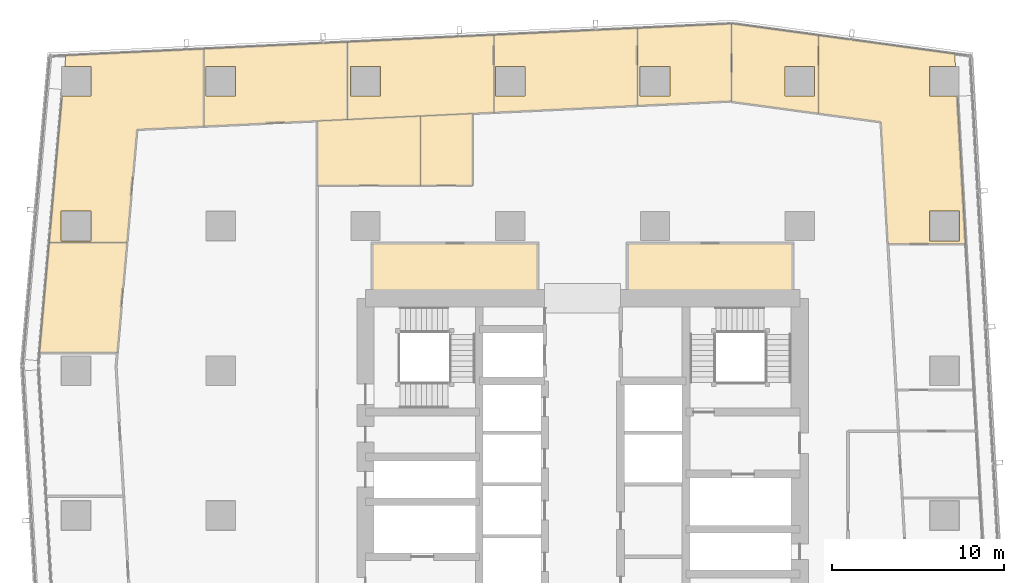
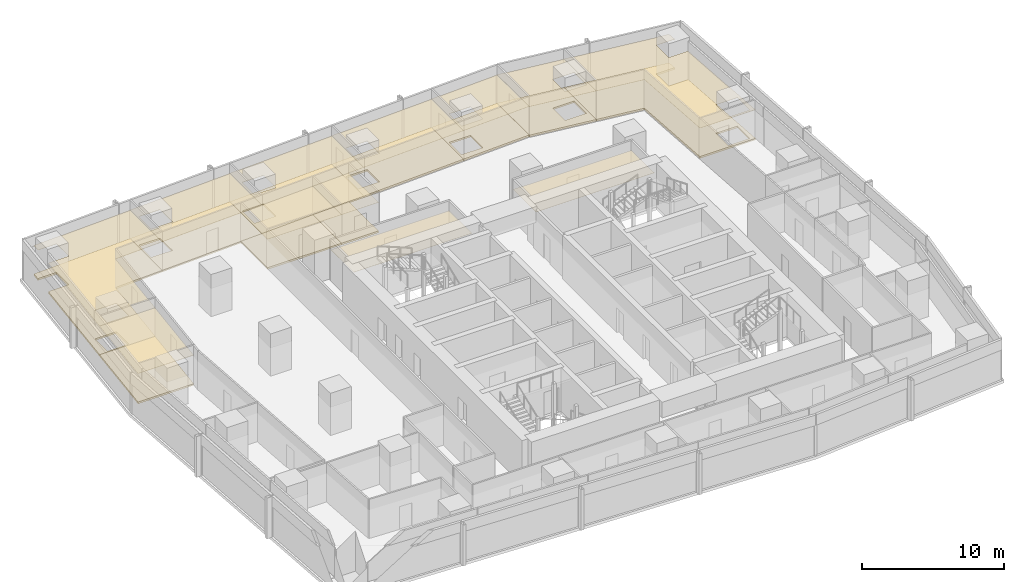
# One storey, part 39 of 39: 22 coverings.
"""IFC4 building model written with IfcOpenShell, lengths in metres."""

from ifc_helpers import new_model, si_unit, direction, frame, origin, place, context, subcontext, project, spatial, polyline, outline, extrude, material, layer, layer_set, type_object, element, save


model = new_model("IFC4")

# Units and contexts
model_context = context("Model", 3, precision=1e-05, world=origin(), true_north=direction((0.0, 1.0)))
body_context = subcontext(model_context, "Body", "Model", "MODEL_VIEW")
ifc_project = project(units=[si_unit("LENGTHUNIT", "METRE"), si_unit("AREAUNIT", "SQUARE_METRE"), si_unit("VOLUMEUNIT", "CUBIC_METRE"), si_unit("PLANEANGLEUNIT", "RADIAN"), si_unit("MASSUNIT", "GRAM", prefix="KILO")], contexts=[model_context])

# Site, building, storey
site_placement = place(None, origin())
site = spatial("IfcSite", under=ifc_project, at=site_placement, CompositionType="ELEMENT")
building_placement = place(site_placement, origin())
building = spatial("IfcBuilding", under=site, at=building_placement, Name="Rekha Terrace Tower", CompositionType="ELEMENT")
storey_placement = place(building_placement, frame((0.0, 0.0, 183.949951171875)))
storey = spatial("IfcBuildingStorey", under=building, at=storey_placement, Name="L46", CompositionType="ELEMENT", Elevation=183.949951171875)

# Coverings
ifc_material_1 = material(Name="Mineral fibre tile in exposed grid", Category="finish")
ifc_layer_1 = layer(ifc_material_1, 0.02001953125)
ifc_layer_set_1 = layer_set([ifc_layer_1], Name="Mineral fibre tile in exposed grid")
covering_type_1 = type_object("IfcCoveringType", Name="CL1 600x1200 office grid ceiling", PredefinedType="CEILING", material=ifc_layer_set_1)
covering_1_placement = place(storey_placement, frame((0.0, 0.0, 2.580078125)))
element("IfcCovering", 1, at=covering_1_placement, inside=storey, type_object=covering_type_1, Name="Ceiling L46-12", PredefinedType="CEILING", context=body_context, shape_type="SweptSolid", body=[
    extrude(outline(polyline([(51.485107421875, 56.926025390625), (55.10888671875, 56.43310546875), (55.511962890625, 49.346923828125), (60.01904296875, 49.346923828125), (59.531005859375, 57.93505859375), (57.93505859375, 57.93505859375), (57.93505859375, 59.6650390625), (59.43310546875, 59.6650390625), (59.39208984375, 60.39208984375), (51.485107421875, 61.468017578125), (51.485107421875, 56.926025390625)]), holes=[polyline([(59.6650390625, 51.264892578125), (59.6650390625, 49.534912109375), (57.93505859375, 49.534912109375), (57.93505859375, 51.264892578125), (59.6650390625, 51.264892578125)])]), origin(), (0.0, 0.0, 1.0), 0.02001953125),
])
covering_2_placement = place(storey_placement, frame((0.0, 0.0, 2.580078125)))
element("IfcCovering", 2, at=covering_2_placement, inside=storey, type_object=covering_type_1, Name="Ceiling L46-13", PredefinedType="CEILING", context=body_context, shape_type="SweptSolid", body=[
    extrude(outline(polyline([(51.48388671875, 56.927001953125), (51.48388671875, 61.468017578125), (46.445068359375, 62.154052734375), (46.445068359375, 57.612060546875), (51.48388671875, 56.927001953125)]), holes=[polyline([(51.264892578125, 57.93505859375), (49.534912109375, 57.93505859375), (49.534912109375, 59.6650390625), (51.264892578125, 59.6650390625), (51.264892578125, 57.93505859375)])]), origin(), (0.0, 0.0, 1.0), 0.02001953125),
])
covering_3_placement = place(storey_placement, frame((0.0, 0.0, 2.580078125)))
element("IfcCovering", 3, at=covering_3_placement, inside=storey, type_object=covering_type_1, Name="Ceiling L46-14", PredefinedType="CEILING", context=body_context, shape_type="SweptSolid", body=[
    extrude(outline(polyline([(46.444091796875, 62.14697265625), (40.97802734375, 61.885986328125), (40.97802734375, 57.381103515625), (46.444091796875, 57.64208984375), (46.444091796875, 62.14697265625)]), holes=[polyline([(42.864990234375, 59.6650390625), (42.864990234375, 57.93505859375), (41.135009765625, 57.93505859375), (41.135009765625, 59.6650390625), (42.864990234375, 59.6650390625)])]), origin(), (0.0, 0.0, 1.0), 0.02001953125),
])
covering_4_placement = place(storey_placement, frame((0.0, 0.0, 2.580078125)))
element("IfcCovering", 4, at=covering_4_placement, inside=storey, type_object=covering_type_1, Name="Ceiling L46-15", PredefinedType="CEILING", context=body_context, shape_type="SweptSolid", body=[
    extrude(outline(polyline([(40.97705078125, 57.381103515625), (40.97705078125, 61.885986328125), (32.64990234375, 61.488037109375), (32.64990234375, 56.98291015625), (40.97705078125, 57.381103515625)]), holes=[polyline([(34.465087890625, 57.93505859375), (32.735107421875, 57.93505859375), (32.735107421875, 59.6650390625), (34.465087890625, 59.6650390625), (34.465087890625, 57.93505859375)])]), origin(), (0.0, 0.0, 1.0), 0.02001953125),
])
covering_5_placement = place(storey_placement, frame((0.0, 0.0, 2.580078125)))
element("IfcCovering", 5, at=covering_5_placement, inside=storey, type_object=covering_type_1, Name="Ceiling L46-16", PredefinedType="CEILING", context=body_context, shape_type="SweptSolid", body=[
    extrude(outline(polyline([(32.64892578125, 56.98291015625), (32.64892578125, 61.488037109375), (24.14306640625, 61.0810546875), (24.14306640625, 56.575927734375), (32.64892578125, 56.98291015625)]), holes=[polyline([(26.06494140625, 57.93505859375), (24.3349609375, 57.93505859375), (24.3349609375, 59.6650390625), (26.06494140625, 59.6650390625), (26.06494140625, 57.93505859375)])]), origin(), (0.0, 0.0, 1.0), 0.02001953125),
])
covering_6_placement = place(storey_placement, frame((0.0, 0.0, 2.580078125)))
element("IfcCovering", 6, at=covering_6_placement, inside=storey, type_object=covering_type_1, Name="Ceiling L46-17", PredefinedType="CEILING", context=body_context, shape_type="SweptSolid", body=[
    extrude(outline(polyline([(24.14208984375, 56.575927734375), (24.14208984375, 61.0810546875), (15.81591796875, 60.68310546875), (15.81591796875, 56.177978515625), (24.14208984375, 56.575927734375)]), holes=[polyline([(17.6650390625, 59.6650390625), (17.6650390625, 57.93505859375), (15.93505859375, 57.93505859375), (15.93505859375, 59.6650390625), (17.6650390625, 59.6650390625)])]), origin(), (0.0, 0.0, 1.0), 0.02001953125),
])
covering_7_placement = place(storey_placement, frame((0.0, 0.0, 2.580078125)))
element("IfcCovering", 7, at=covering_7_placement, inside=storey, type_object=covering_type_1, Name="Ceiling L46-18", PredefinedType="CEILING", context=body_context, shape_type="SweptSolid", body=[
    extrude(outline(polyline([(7.592041015625, 57.93505859375), (6.841064453125, 49.427978515625), (11.35888671875, 49.427978515625), (11.93798828125, 55.992919921875), (15.81494140625, 56.177978515625), (15.81494140625, 60.68310546875), (7.801025390625, 60.300048828125), (7.7451171875, 59.6650390625), (9.264892578125, 59.6650390625), (9.264892578125, 57.93505859375), (7.592041015625, 57.93505859375)]), holes=[polyline([(9.264892578125, 49.534912109375), (7.534912109375, 49.534912109375), (7.534912109375, 51.264892578125), (9.264892578125, 51.264892578125), (9.264892578125, 49.534912109375)])]), origin(), (0.0, 0.0, 1.0), 0.02001953125),
])
covering_8_placement = place(storey_placement, frame((0.0, 0.0, 2.580078125)))
element("IfcCovering", 8, at=covering_8_placement, inside=storey, type_object=covering_type_1, Name="Ceiling L46-19", PredefinedType="CEILING", context=body_context, shape_type="SweptSolid", body=[
    extrude(outline(polyline([(11.35791015625, 49.427001953125), (6.841064453125, 49.427001953125), (6.277099609375, 43.044921875), (10.794921875, 43.044921875), (11.35791015625, 49.427001953125)])), origin(), (0.0, 0.0, 1.0), 0.02001953125),
])
covering_9_placement = place(storey_placement, frame((0.0, 0.0, 2.580078125)))
element("IfcCovering", 9, at=covering_9_placement, inside=storey, type_object=covering_type_1, Name="Ceiling L46-22", PredefinedType="CEILING", context=body_context, shape_type="SweptSolid", body=[
    extrude(outline(polyline([(28.39990234375, 56.780029296875), (24.14208984375, 56.575927734375), (22.39990234375, 56.492919921875), (22.39990234375, 52.75), (28.39990234375, 52.75), (28.39990234375, 56.780029296875)])), origin(), (0.0, 0.0, 1.0), 0.02001953125),
])
covering_10_placement = place(storey_placement, frame((0.0, 0.0, 2.580078125)))
element("IfcCovering", 10, at=covering_10_placement, inside=storey, type_object=covering_type_1, Name="Ceiling L46-23", PredefinedType="CEILING", context=body_context, shape_type="SweptSolid", body=[
    extrude(outline(polyline([(31.39990234375, 52.75), (31.39990234375, 56.923095703125), (28.39990234375, 56.780029296875), (28.39990234375, 52.75), (31.39990234375, 52.75)])), origin(), (0.0, 0.0, 1.0), 0.02001953125),
])
ifc_material_2 = material(Name="Fibre cement board", Category="finish")
ifc_layer_2 = layer(ifc_material_2, 0.014892578125)
ifc_layer_set_2 = layer_set([ifc_layer_2], Name="Fibre cement board")
covering_type_2 = type_object("IfcCoveringType", Name="CL2 moisture-resistant board ceiling", PredefinedType="CEILING", material=ifc_layer_set_2)
covering_11_placement = place(storey_placement, frame((0.0, 0.0, 2.5849609375)))
element("IfcCovering", 11, at=covering_11_placement, inside=storey, type_object=covering_type_2, Name="Ceiling L46-WCF", PredefinedType="CEILING", context=body_context, shape_type="SweptSolid", body=[
    extrude(outline(polyline([(50.0, 49.39990234375), (40.39990234375, 49.39990234375), (40.39990234375, 46.199951171875), (50.0, 46.199951171875), (50.0, 49.39990234375)])), origin(), (0.0, 0.0, 1.0), 0.01513671875),
])
covering_12_placement = place(storey_placement, frame((0.0, 0.0, 2.5849609375)))
element("IfcCovering", 12, at=covering_12_placement, inside=storey, type_object=covering_type_2, Name="Ceiling L46-WCF2", PredefinedType="CEILING", context=body_context, shape_type="SweptSolid", body=[
    extrude(outline(polyline([(35.199951171875, 49.39990234375), (25.60009765625, 49.39990234375), (25.60009765625, 46.199951171875), (35.199951171875, 46.199951171875), (35.199951171875, 49.39990234375)])), origin(), (0.0, 0.0, 1.0), 0.01513671875),
])
ifc_material_3 = material(Name="Calcium sulphate panels on steel pedestals", Category="steel")
ifc_layer_3 = layer(ifc_material_3, 0.14990234375)
ifc_layer_set_3 = layer_set([ifc_layer_3], Name="Calcium sulphate panels on steel pedestals")
covering_type_3 = type_object("IfcCoveringType", Name="RF1 150 raised access floor", PredefinedType="FLOORING", material=ifc_layer_set_3)
covering_13_placement = place(storey_placement, origin())
element("IfcCovering", 13, at=covering_13_placement, inside=storey, type_object=covering_type_3, Name="Raised floor L46-12", PredefinedType="FLOORING", context=body_context, shape_type="SweptSolid", body=[
    extrude(outline(polyline([(51.485107421875, 56.926025390625), (55.10888671875, 56.43310546875), (55.511962890625, 49.346923828125), (60.01904296875, 49.346923828125), (59.531005859375, 57.93505859375), (57.93505859375, 57.93505859375), (57.93505859375, 59.6650390625), (59.43310546875, 59.6650390625), (59.39208984375, 60.39208984375), (51.485107421875, 61.468017578125), (51.485107421875, 56.926025390625)]), holes=[polyline([(59.6650390625, 51.264892578125), (59.6650390625, 49.534912109375), (57.93505859375, 49.534912109375), (57.93505859375, 51.264892578125), (59.6650390625, 51.264892578125)])]), origin(), (0.0, 0.0, 1.0), 0.150146484375),
])
covering_14_placement = place(storey_placement, origin())
element("IfcCovering", 14, at=covering_14_placement, inside=storey, type_object=covering_type_3, Name="Raised floor L46-13", PredefinedType="FLOORING", context=body_context, shape_type="SweptSolid", body=[
    extrude(outline(polyline([(51.48388671875, 56.927001953125), (51.48388671875, 61.468017578125), (46.445068359375, 62.154052734375), (46.445068359375, 57.612060546875), (51.48388671875, 56.927001953125)]), holes=[polyline([(51.264892578125, 57.93505859375), (49.534912109375, 57.93505859375), (49.534912109375, 59.6650390625), (51.264892578125, 59.6650390625), (51.264892578125, 57.93505859375)])]), origin(), (0.0, 0.0, 1.0), 0.150146484375),
])
covering_15_placement = place(storey_placement, origin())
element("IfcCovering", 15, at=covering_15_placement, inside=storey, type_object=covering_type_3, Name="Raised floor L46-14", PredefinedType="FLOORING", context=body_context, shape_type="SweptSolid", body=[
    extrude(outline(polyline([(46.444091796875, 62.14697265625), (40.97802734375, 61.885986328125), (40.97802734375, 57.381103515625), (46.444091796875, 57.64208984375), (46.444091796875, 62.14697265625)]), holes=[polyline([(42.864990234375, 59.6650390625), (42.864990234375, 57.93505859375), (41.135009765625, 57.93505859375), (41.135009765625, 59.6650390625), (42.864990234375, 59.6650390625)])]), origin(), (0.0, 0.0, 1.0), 0.150146484375),
])
covering_16_placement = place(storey_placement, origin())
element("IfcCovering", 16, at=covering_16_placement, inside=storey, type_object=covering_type_3, Name="Raised floor L46-15", PredefinedType="FLOORING", context=body_context, shape_type="SweptSolid", body=[
    extrude(outline(polyline([(40.97705078125, 57.381103515625), (40.97705078125, 61.885986328125), (32.64990234375, 61.488037109375), (32.64990234375, 56.98291015625), (40.97705078125, 57.381103515625)]), holes=[polyline([(34.465087890625, 57.93505859375), (32.735107421875, 57.93505859375), (32.735107421875, 59.6650390625), (34.465087890625, 59.6650390625), (34.465087890625, 57.93505859375)])]), origin(), (0.0, 0.0, 1.0), 0.150146484375),
])
covering_17_placement = place(storey_placement, origin())
element("IfcCovering", 17, at=covering_17_placement, inside=storey, type_object=covering_type_3, Name="Raised floor L46-16", PredefinedType="FLOORING", context=body_context, shape_type="SweptSolid", body=[
    extrude(outline(polyline([(32.64892578125, 56.98291015625), (32.64892578125, 61.488037109375), (24.14306640625, 61.0810546875), (24.14306640625, 56.575927734375), (32.64892578125, 56.98291015625)]), holes=[polyline([(26.06494140625, 57.93505859375), (24.3349609375, 57.93505859375), (24.3349609375, 59.6650390625), (26.06494140625, 59.6650390625), (26.06494140625, 57.93505859375)])]), origin(), (0.0, 0.0, 1.0), 0.150146484375),
])
covering_18_placement = place(storey_placement, origin())
element("IfcCovering", 18, at=covering_18_placement, inside=storey, type_object=covering_type_3, Name="Raised floor L46-17", PredefinedType="FLOORING", context=body_context, shape_type="SweptSolid", body=[
    extrude(outline(polyline([(24.14208984375, 56.575927734375), (24.14208984375, 61.0810546875), (15.81591796875, 60.68310546875), (15.81591796875, 56.177978515625), (24.14208984375, 56.575927734375)]), holes=[polyline([(17.6650390625, 59.6650390625), (17.6650390625, 57.93505859375), (15.93505859375, 57.93505859375), (15.93505859375, 59.6650390625), (17.6650390625, 59.6650390625)])]), origin(), (0.0, 0.0, 1.0), 0.150146484375),
])
covering_19_placement = place(storey_placement, origin())
element("IfcCovering", 19, at=covering_19_placement, inside=storey, type_object=covering_type_3, Name="Raised floor L46-18", PredefinedType="FLOORING", context=body_context, shape_type="SweptSolid", body=[
    extrude(outline(polyline([(7.592041015625, 57.93505859375), (6.841064453125, 49.427978515625), (11.35888671875, 49.427978515625), (11.93798828125, 55.992919921875), (15.81494140625, 56.177978515625), (15.81494140625, 60.68310546875), (7.801025390625, 60.300048828125), (7.7451171875, 59.6650390625), (9.264892578125, 59.6650390625), (9.264892578125, 57.93505859375), (7.592041015625, 57.93505859375)]), holes=[polyline([(9.264892578125, 49.534912109375), (7.534912109375, 49.534912109375), (7.534912109375, 51.264892578125), (9.264892578125, 51.264892578125), (9.264892578125, 49.534912109375)])]), origin(), (0.0, 0.0, 1.0), 0.150146484375),
])
covering_20_placement = place(storey_placement, origin())
element("IfcCovering", 20, at=covering_20_placement, inside=storey, type_object=covering_type_3, Name="Raised floor L46-19", PredefinedType="FLOORING", context=body_context, shape_type="SweptSolid", body=[
    extrude(outline(polyline([(11.35791015625, 49.427001953125), (6.841064453125, 49.427001953125), (6.277099609375, 43.044921875), (10.794921875, 43.044921875), (11.35791015625, 49.427001953125)])), origin(), (0.0, 0.0, 1.0), 0.150146484375),
])
covering_21_placement = place(storey_placement, origin())
element("IfcCovering", 21, at=covering_21_placement, inside=storey, type_object=covering_type_3, Name="Raised floor L46-22", PredefinedType="FLOORING", context=body_context, shape_type="SweptSolid", body=[
    extrude(outline(polyline([(28.39990234375, 56.780029296875), (24.14208984375, 56.575927734375), (22.39990234375, 56.492919921875), (22.39990234375, 52.75), (28.39990234375, 52.75), (28.39990234375, 56.780029296875)])), origin(), (0.0, 0.0, 1.0), 0.150146484375),
])
covering_22_placement = place(storey_placement, origin())
element("IfcCovering", 22, at=covering_22_placement, inside=storey, type_object=covering_type_3, Name="Raised floor L46-23", PredefinedType="FLOORING", context=body_context, shape_type="SweptSolid", body=[
    extrude(outline(polyline([(31.39990234375, 52.75), (31.39990234375, 56.923095703125), (28.39990234375, 56.780029296875), (28.39990234375, 52.75), (31.39990234375, 52.75)])), origin(), (0.0, 0.0, 1.0), 0.150146484375),
])

save(model, "model.ifc")
